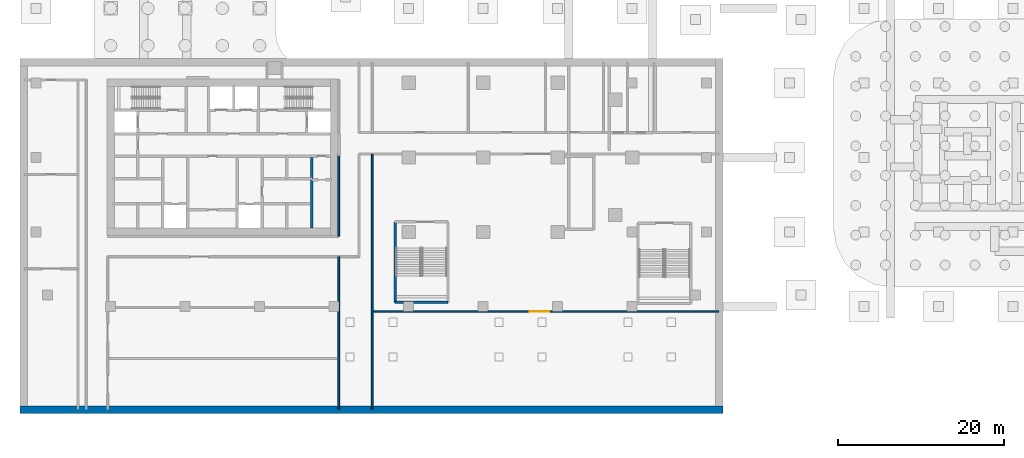
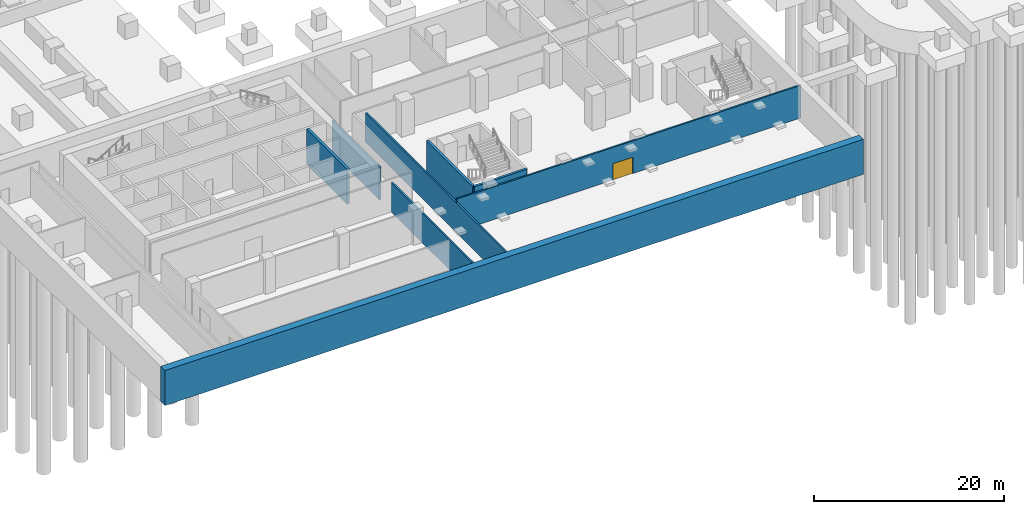
# One storey, part 5 of 14: 8 walls, 1 door, 1 opening.
"""IFC4 building model written with IfcOpenShell, lengths in metres."""

from ifc_helpers import new_model, si_unit, direction, frame, frame_2d, origin, place, context, subcontext, project, spatial, rectangle, extrude, material, layer, layer_set, type_object, element, fill, save


model = new_model("IFC4")

# Units and contexts
model_context = context("Model", 3, precision=1e-05, world=origin(), true_north=direction((0.0, 1.0)))
body_context = subcontext(model_context, "Body", "Model", "MODEL_VIEW")
ifc_project = project(units=[si_unit("LENGTHUNIT", "METRE"), si_unit("AREAUNIT", "SQUARE_METRE"), si_unit("VOLUMEUNIT", "CUBIC_METRE"), si_unit("PLANEANGLEUNIT", "RADIAN"), si_unit("MASSUNIT", "GRAM", prefix="KILO")], contexts=[model_context])

# Site, building, storey
site_placement = place(None, origin())
site = spatial("IfcSite", under=ifc_project, at=site_placement, CompositionType="ELEMENT")
building_placement = place(site_placement, origin())
building = spatial("IfcBuilding", under=site, at=building_placement, Name="Ogive Portal Towers", CompositionType="ELEMENT")
storey_placement = place(building_placement, frame((0.0, 0.0, -4.5)))
storey = spatial("IfcBuildingStorey", under=building, at=storey_placement, Name="B1", CompositionType="ELEMENT", Elevation=-4.5)

# Walls
ifc_material_1 = material(Name="Concrete C60/75", Category="concrete")
ifc_layer_1 = layer(ifc_material_1, 0.300048828125)
ifc_layer_set_1 = layer_set([ifc_layer_1], Name="CORE WALL 300 C60")
wall_type_1 = type_object("IfcWallType", Name="CORE WALL 300 C60", PredefinedType="SHEAR", material=ifc_layer_set_1)
wall_1_placement = place(storey_placement, frame((55.800048828125, 21.949951171875, 0.0), z_axis=(0.0, 0.0, 1.0), x_axis=(0.0, 1.0, 0.0)))
element("IfcWall", 1, at=wall_1_placement, inside=storey, type_object=wall_type_1, Name="Core wall X5 B1", PredefinedType="SHEAR", context=body_context, shape_type="SweptSolid", body=[
    extrude(rectangle(XDim=8.550048828125, YDim=0.300048828125, at=frame_2d((4.27490234375, 0.0))), origin(), (0.0, 0.0, 1.0), 4.5),
])
ifc_material_2 = material(Name="Concrete C50/60", Category="concrete")
ifc_layer_2 = layer(ifc_material_2, 0.300048828125)
ifc_layer_set_2 = layer_set([ifc_layer_2], Name="STAIR WALL 300 C50")
wall_type_2 = type_object("IfcWallType", Name="STAIR WALL 300 C50", PredefinedType="SHEAR", material=ifc_layer_set_2)
wall_2_placement = place(storey_placement, frame((65.85009765625, 13.0, 0.0), z_axis=(0.0, 0.0, 1.0), x_axis=(1.0, 0.0, 0.0)))
element("IfcWall", 2, at=wall_2_placement, inside=storey, type_object=wall_type_2, Name="Stair wall ST-S1 B1", PredefinedType="SHEAR", context=body_context, shape_type="SweptSolid", body=[
    extrude(rectangle(XDim=6.39990234375, YDim=0.300048828125, at=frame_2d((3.199951171875, 0.0))), origin(), (0.0, 0.0, 1.0), 4.199951171875),
])
wall_3_placement = place(storey_placement, frame((65.85009765625, 13.0, 0.0), z_axis=(0.0, 0.0, 1.0), x_axis=(0.0, 1.0, 0.0)))
element("IfcWall", 3, at=wall_3_placement, inside=storey, type_object=wall_type_2, Name="Stair wall ST-S1 B1", PredefinedType="SHEAR", context=body_context, shape_type="SweptSolid", body=[
    extrude(rectangle(XDim=9.699951171875, YDim=0.300048828125, at=frame_2d((4.85009765625, 0.0))), origin(), (0.0, 0.0, 1.0), 4.199951171875),
])
ifc_material_3 = material(Name="Concrete C40/50", Category="concrete")
ifc_layer_3 = layer(ifc_material_3, 0.89990234375)
ifc_layer_set_3 = layer_set([ifc_layer_3], Name="STATION WALL 900 C40")
wall_type_3 = type_object("IfcWallType", Name="STATION WALL 900 C40", PredefinedType="SOLIDWALL", material=ifc_layer_set_3)
wall_4_placement = place(storey_placement, frame((20.550048828125, 0.0, 0.0), z_axis=(0.0, 0.0, 1.0), x_axis=(1.0, 0.0, 0.0)))
element("IfcWall", 4, at=wall_4_placement, inside=storey, type_object=wall_type_3, Name="Station wall B1", PredefinedType="SOLIDWALL", context=body_context, shape_type="SweptSolid", body=[
    extrude(rectangle(XDim=84.89990234375, YDim=0.89990234375, at=frame_2d((42.449951171875, 0.0))), origin(), (0.0, 0.0, 1.0), 4.5),
])

# Wall, opening, door
ifc_material_4 = material(Name="Gypsum board partition on steel studs", Category="steel")
ifc_layer_4 = layer(ifc_material_4, 0.199951171875)
ifc_layer_set_4 = layer_set([ifc_layer_4], Name="WT-PART-200-EI 60")
wall_type_4 = type_object("IfcWallType", Name="WT-PART-200-EI 60", PredefinedType="PARTITIONING", material=ifc_layer_set_4)
wall_5_placement = place(storey_placement, frame((63.10009765625, 11.89990234375, 0.0), z_axis=(0.0, 0.0, 1.0), x_axis=(1.0, 0.0, 0.0)))
wall_5 = element("IfcWall", 5, at=wall_5_placement, inside=storey, type_object=wall_type_4, Name="Wall B1:w001", PredefinedType="PARTITIONING", context=body_context, shape_type="SweptSolid", body=[
    extrude(rectangle(XDim=41.829833984375, YDim=0.199951171875, at=frame_2d((20.9150390625, 0.0))), origin(), (0.0, 0.0, 1.0), 4.199951171875),
])
opening_placement = place(wall_5_placement, frame((19.0, 0.0, 0.0)))
opening = element("IfcOpeningElement", 6, at=opening_placement, cuts=wall_5, Name="Opening PB1-005", PredefinedType="OPENING", context=body_context, shape_type="SweptSolid", body=[
    extrude(rectangle(XDim=2.39990234375, YDim=2.10009765625, at=frame_2d((1.199951171875, 1.050048828125))), frame((0.0, 0.10986328125, 0.0), z_axis=(0.0, -1.0, 0.0), x_axis=(1.0, 0.0, 0.0)), (0.0, 0.0, 1.0), 0.219970703125),
])
ifc_material_5 = material(Name="Steel fire door", Category="steel")
door_type = type_object("IfcDoorType", Name="DT-GATE-2400x2100-FD60S", OperationType="SINGLE_SWING_LEFT", PredefinedType="DOOR", material=ifc_material_5)
door_placement = place(opening_placement, origin())
door = element("IfcDoor", 7, at=door_placement, inside=storey, type_object=door_type, Name="Door PB1-005", OperationType="SINGLE_SWING_LEFT", OverallHeight=2.10009765625, OverallWidth=2.39990234375, PredefinedType="DOOR", context=body_context, shape_type="SweptSolid", body=[
    extrude(rectangle(XDim=2.39990234375, YDim=2.10009765625, at=frame_2d((1.199951171875, 1.050048828125))), frame((0.0, 0.02490234375, 0.0), z_axis=(0.0, -1.0, 0.0), x_axis=(1.0, 0.0, 0.0)), (0.0, 0.0, 1.0), 0.050048828125),
])
fill(opening, door)

# Walls
wall_6_placement = place(storey_placement, frame((59.050048828125, 0.070068359375, 0.0), z_axis=(0.0, 0.0, 1.0), x_axis=(0.0, 1.0, 0.0)))
element("IfcWall", 8, at=wall_6_placement, inside=storey, type_object=wall_type_4, Name="Wall B1:w025", PredefinedType="PARTITIONING", context=body_context, shape_type="SweptSolid", body=[
    extrude(rectangle(XDim=18.429931640625, YDim=0.199951171875, at=frame_2d((9.21484375, 0.0))), origin(), (0.0, 0.0, 1.0), 3.800048828125),
])
wall_7_placement = place(storey_placement, frame((59.050048828125, 20.949951171875, 0.0), z_axis=(0.0, 0.0, 1.0), x_axis=(0.0, 1.0, 0.0)))
element("IfcWall", 9, at=wall_7_placement, inside=storey, type_object=wall_type_4, Name="Wall B1:w026", PredefinedType="PARTITIONING", context=body_context, shape_type="SweptSolid", body=[
    extrude(rectangle(XDim=9.949951171875, YDim=0.199951171875, at=frame_2d((4.97509765625, 0.0))), origin(), (0.0, 0.0, 1.0), 4.199951171875),
])
wall_8_placement = place(storey_placement, frame((63.10009765625, 0.070068359375, 0.0), z_axis=(0.0, 0.0, 1.0), x_axis=(0.0, 1.0, 0.0)))
element("IfcWall", 10, at=wall_8_placement, inside=storey, type_object=wall_type_4, Name="Wall B1:w030", PredefinedType="PARTITIONING", context=body_context, shape_type="SweptSolid", body=[
    extrude(rectangle(XDim=30.829833984375, YDim=0.199951171875, at=frame_2d((15.4150390625, 0.0))), origin(), (0.0, 0.0, 1.0), 3.800048828125),
])

save(model, "model.ifc")
